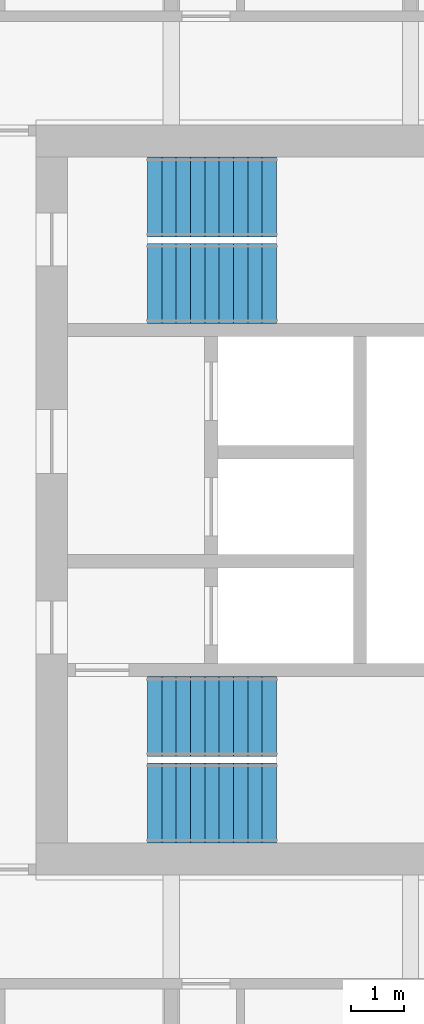
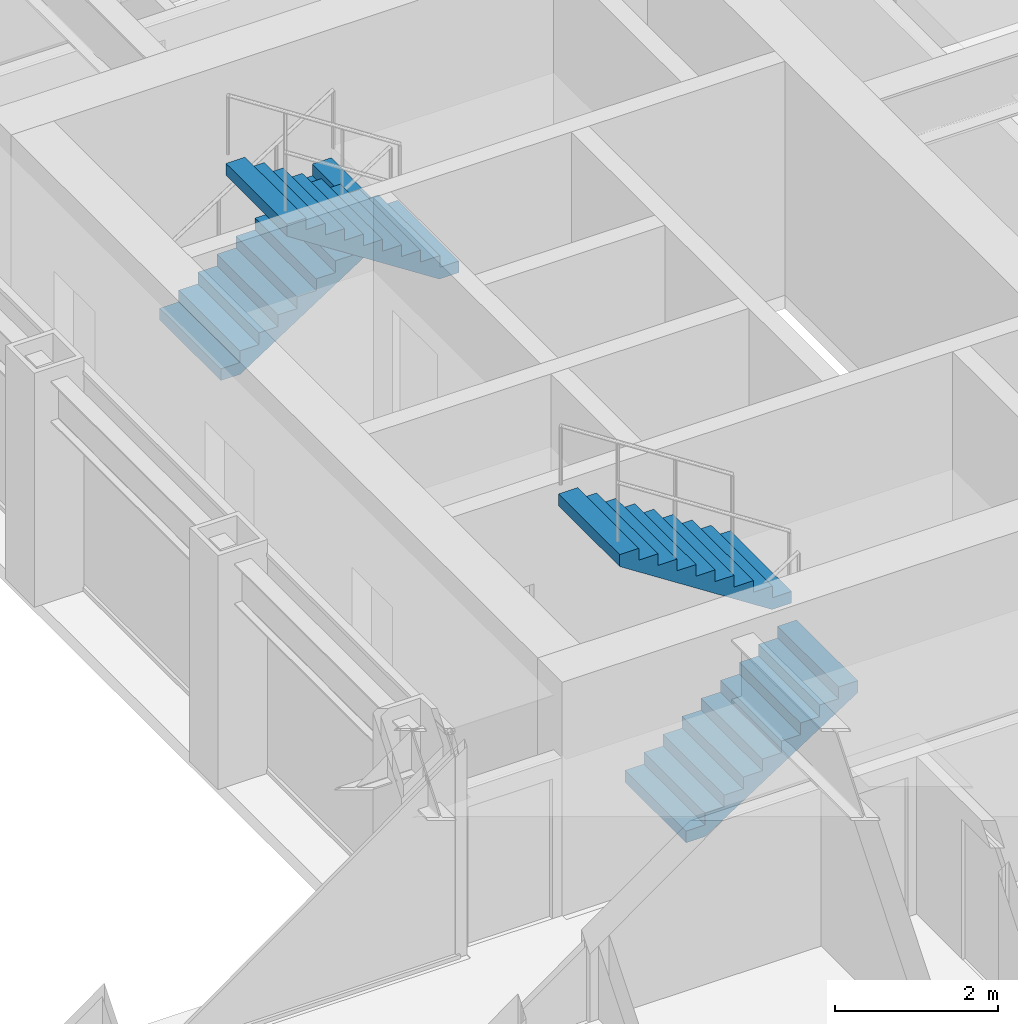
# One storey, part 19 of 24: 4 stair flights, 2 elements without a shape of their own.
"""IFC4 building model written with IfcOpenShell, lengths in metres."""

from ifc_helpers import new_model, si_unit, direction, frame, origin, place, context, subcontext, project, spatial, polyline, outline, extrude, material, type_object, element, aggregate, save


model = new_model("IFC4")

# Units and contexts
model_context = context("Model", 3, precision=1e-05, world=origin(), true_north=direction((0.0, 1.0)))
body_context = subcontext(model_context, "Body", "Model", "MODEL_VIEW")
ifc_project = project(units=[si_unit("LENGTHUNIT", "METRE"), si_unit("AREAUNIT", "SQUARE_METRE"), si_unit("VOLUMEUNIT", "CUBIC_METRE"), si_unit("PLANEANGLEUNIT", "RADIAN"), si_unit("MASSUNIT", "GRAM", prefix="KILO")], contexts=[model_context])

# Site, building, storey
site_placement = place(None, origin())
site = spatial("IfcSite", under=ifc_project, at=site_placement, CompositionType="ELEMENT")
building_placement = place(site_placement, origin())
building = spatial("IfcBuilding", under=site, at=building_placement, Name="Msasa Ring Tower", CompositionType="ELEMENT")
storey_placement = place(building_placement, frame((0.0, 0.0, 26.5)))
storey = spatial("IfcBuildingStorey", under=building, at=storey_placement, Name="L05", CompositionType="ELEMENT", Elevation=26.5)

# Stair, stair flights
ifc_material_1 = material(Name="Concrete C40/50", Category="concrete")
stair_type = type_object("IfcStairType", Name="STC CORE STAIR 20 RISERS 175", PredefinedType="HALF_TURN_STAIR", material=ifc_material_1)
stair_1_placement = place(storey_placement, origin())
stair_1 = element("IfcStair", 1, at=stair_1_placement, inside=storey, type_object=stair_type, Name="Core stair SEA L05", PredefinedType="HALF_TURN_STAIR")
ifc_material_2 = material(Name="Concrete C40/50", Category="concrete")
stair_flight_type = type_object("IfcStairFlightType", Name="ST12 CORE STAIR FLIGHT 1500 10 RISERS 175", PredefinedType="STRAIGHT", material=ifc_material_2)
stair_flight_1_placement = place(storey_placement, frame((10.800048828125, -5.699951171875, 0.0), z_axis=(0.0, 0.0, 1.0), x_axis=(1.0, 0.0, 0.0)))
stair_flight_1 = element("IfcStairFlight", 2, at=stair_flight_1_placement, type_object=stair_flight_type, Name="SEA flight 1", NumberOfRisers=10, NumberOfTreads=9, PredefinedType="STRAIGHT", RiserHeight=0.175, TreadLength=0.27, context=body_context, shape_type="SweptSolid", body=[
    extrude(outline(polyline([(0.0, 0.0), (0.0, 0.175048828125), (0.27001953125, 0.175048828125), (0.27001953125, 0.35009765625), (0.5400390625, 0.35009765625), (0.5400390625, 0.52490234375), (0.81005859375, 0.52490234375), (0.81005859375, 0.699951171875), (1.080078125, 0.699951171875), (1.080078125, 0.875), (1.35009765625, 0.875), (1.35009765625, 1.050048828125), (1.6201171875, 1.050048828125), (1.6201171875, 1.22509765625), (1.889892578125, 1.22509765625), (1.889892578125, 1.39990234375), (2.159912109375, 1.39990234375), (2.159912109375, 1.574951171875), (2.429931640625, 1.574951171875), (2.429931640625, 1.75), (2.429931640625, 1.396484375), (0.275634765625, 0.0), (0.0, 0.0)])), frame((0.0, 0.75, 0.0), z_axis=(0.0, -1.0, 0.0), x_axis=(1.0, 0.0, 0.0)), (0.0, 0.0, 1.0), 1.5),
])
stair_flight_2_placement = place(storey_placement, frame((13.22998046875, -4.074951171875, 1.75), z_axis=(0.0, 0.0, 1.0), x_axis=(-1.0, 0.0, 0.0)))
stair_flight_2 = element("IfcStairFlight", 3, at=stair_flight_2_placement, type_object=stair_flight_type, Name="SEA flight 2", NumberOfRisers=10, NumberOfTreads=9, PredefinedType="STRAIGHT", RiserHeight=0.175, TreadLength=0.27, context=body_context, shape_type="SweptSolid", body=[
    extrude(outline(polyline([(0.0, 0.0), (0.0, 0.175048828125), (0.27001953125, 0.175048828125), (0.27001953125, 0.35009765625), (0.5400390625, 0.35009765625), (0.5400390625, 0.52490234375), (0.81005859375, 0.52490234375), (0.81005859375, 0.699951171875), (1.080078125, 0.699951171875), (1.080078125, 0.875), (1.35009765625, 0.875), (1.35009765625, 1.050048828125), (1.6201171875, 1.050048828125), (1.6201171875, 1.22509765625), (1.889892578125, 1.22509765625), (1.889892578125, 1.39990234375), (2.159912109375, 1.39990234375), (2.159912109375, 1.574951171875), (2.429931640625, 1.574951171875), (2.429931640625, 1.75), (2.429931640625, 1.396484375), (0.275634765625, 0.0), (0.0, 0.0)])), frame((0.0, 0.75, 0.0), z_axis=(0.0, -1.0, 0.0), x_axis=(1.0, 0.0, 0.0)), (0.0, 0.0, 1.0), 1.5),
])
aggregate(stair_1, [stair_flight_1, stair_flight_2])

stair_2_placement = place(storey_placement, origin())
stair_2 = element("IfcStair", 4, at=stair_2_placement, inside=storey, type_object=stair_type, Name="Core stair SEB L05", PredefinedType="HALF_TURN_STAIR")
stair_flight_3_placement = place(storey_placement, frame((10.800048828125, 5.699951171875, 0.0), z_axis=(0.0, 0.0, 1.0), x_axis=(1.0, 0.0, 0.0)))
stair_flight_3 = element("IfcStairFlight", 5, at=stair_flight_3_placement, type_object=stair_flight_type, Name="SEB flight 1", NumberOfRisers=10, NumberOfTreads=9, PredefinedType="STRAIGHT", RiserHeight=0.175, TreadLength=0.27, context=body_context, shape_type="SweptSolid", body=[
    extrude(outline(polyline([(0.0, 0.0), (0.0, 0.175048828125), (0.27001953125, 0.175048828125), (0.27001953125, 0.35009765625), (0.5400390625, 0.35009765625), (0.5400390625, 0.52490234375), (0.81005859375, 0.52490234375), (0.81005859375, 0.699951171875), (1.080078125, 0.699951171875), (1.080078125, 0.875), (1.35009765625, 0.875), (1.35009765625, 1.050048828125), (1.6201171875, 1.050048828125), (1.6201171875, 1.22509765625), (1.889892578125, 1.22509765625), (1.889892578125, 1.39990234375), (2.159912109375, 1.39990234375), (2.159912109375, 1.574951171875), (2.429931640625, 1.574951171875), (2.429931640625, 1.75), (2.429931640625, 1.396484375), (0.275634765625, 0.0), (0.0, 0.0)])), frame((0.0, 0.75, 0.0), z_axis=(0.0, -1.0, 0.0), x_axis=(1.0, 0.0, 0.0)), (0.0, 0.0, 1.0), 1.5),
])
stair_flight_4_placement = place(storey_placement, frame((13.22998046875, 4.074951171875, 1.75), z_axis=(0.0, 0.0, 1.0), x_axis=(-1.0, 0.0, 0.0)))
stair_flight_4 = element("IfcStairFlight", 6, at=stair_flight_4_placement, type_object=stair_flight_type, Name="SEB flight 2", NumberOfRisers=10, NumberOfTreads=9, PredefinedType="STRAIGHT", RiserHeight=0.175, TreadLength=0.27, context=body_context, shape_type="SweptSolid", body=[
    extrude(outline(polyline([(0.0, 0.0), (0.0, 0.175048828125), (0.27001953125, 0.175048828125), (0.27001953125, 0.35009765625), (0.5400390625, 0.35009765625), (0.5400390625, 0.52490234375), (0.81005859375, 0.52490234375), (0.81005859375, 0.699951171875), (1.080078125, 0.699951171875), (1.080078125, 0.875), (1.35009765625, 0.875), (1.35009765625, 1.050048828125), (1.6201171875, 1.050048828125), (1.6201171875, 1.22509765625), (1.889892578125, 1.22509765625), (1.889892578125, 1.39990234375), (2.159912109375, 1.39990234375), (2.159912109375, 1.574951171875), (2.429931640625, 1.574951171875), (2.429931640625, 1.75), (2.429931640625, 1.396484375), (0.275634765625, 0.0), (0.0, 0.0)])), frame((0.0, 0.75, 0.0), z_axis=(0.0, -1.0, 0.0), x_axis=(1.0, 0.0, 0.0)), (0.0, 0.0, 1.0), 1.5),
])
aggregate(stair_2, [stair_flight_3, stair_flight_4])

save(model, "model.ifc")
